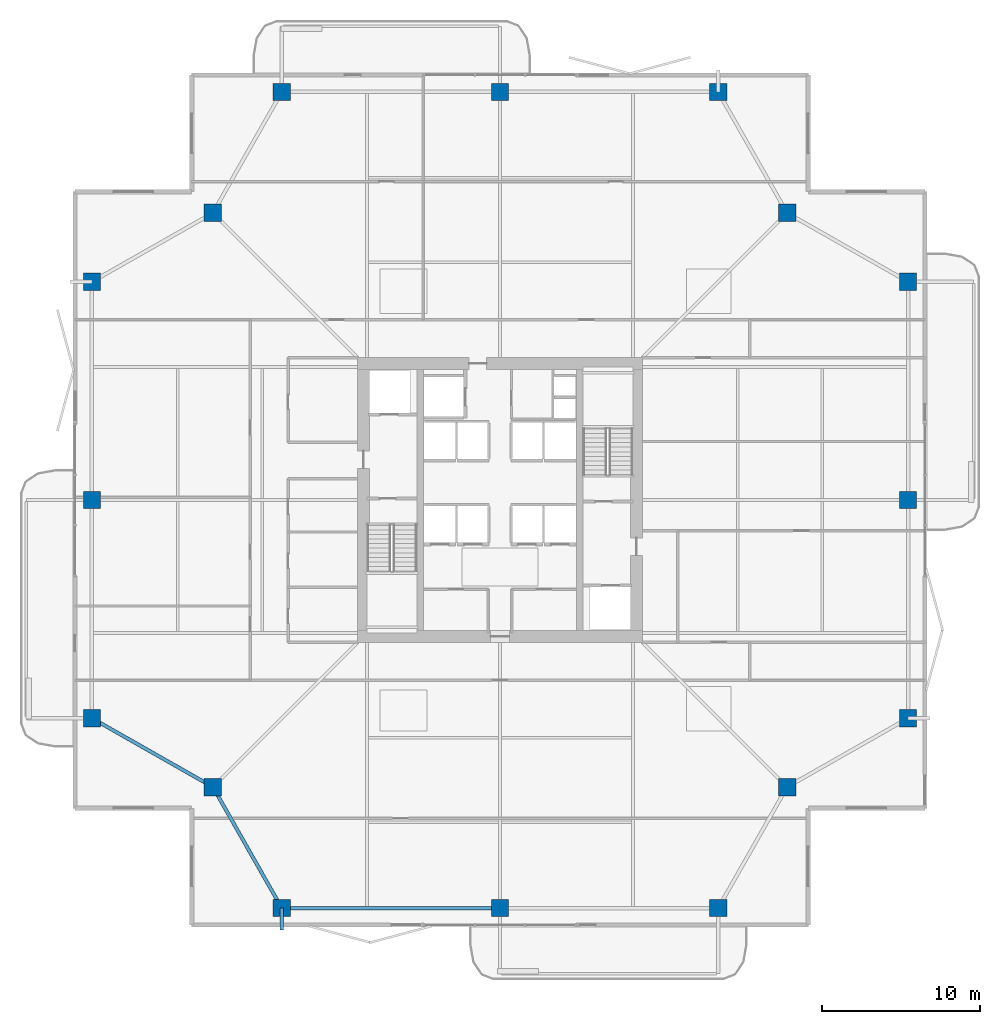
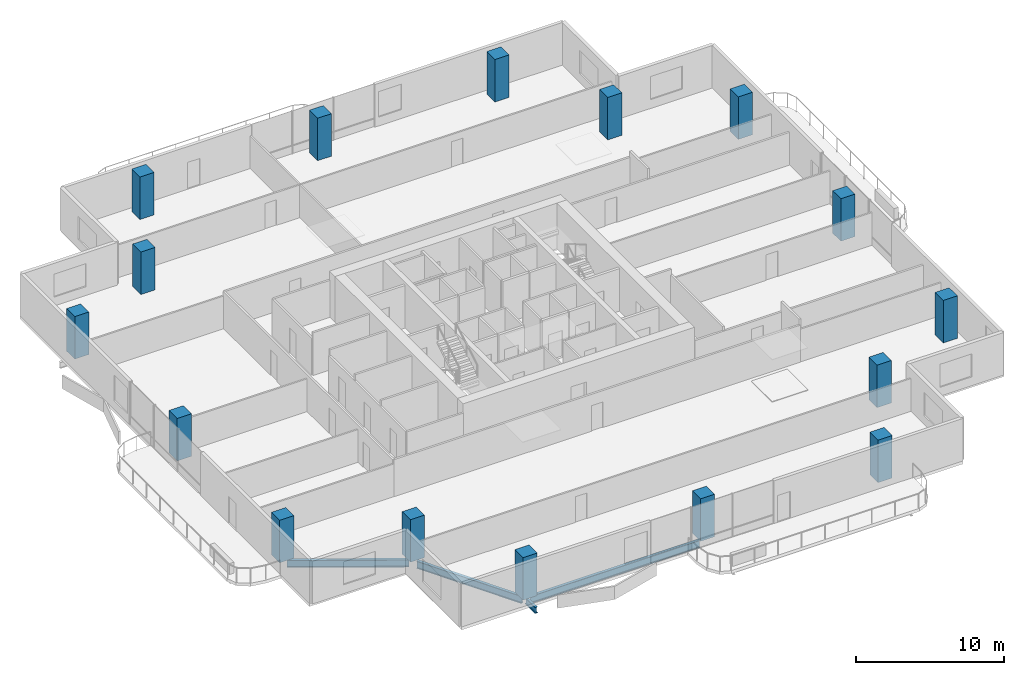
# One storey, part 1 of 24: 16 columns, 4 beams.
"""IFC4 building model written with IfcOpenShell, lengths in metres."""

from ifc_helpers import new_model, si_unit, direction, frame, origin, origin_2d, place, context, subcontext, project, spatial, rectangle, i_section, extrude, material, material_profile, profile_set, type_object, element, save


model = new_model("IFC4")

# Units and contexts
model_context = context("Model", 3, precision=1e-05, world=origin(), true_north=direction((0.0, 1.0)))
body_context = subcontext(model_context, "Body", "Model", "MODEL_VIEW")
ifc_project = project(units=[si_unit("LENGTHUNIT", "METRE"), si_unit("AREAUNIT", "SQUARE_METRE"), si_unit("VOLUMEUNIT", "CUBIC_METRE"), si_unit("PLANEANGLEUNIT", "RADIAN"), si_unit("MASSUNIT", "GRAM", prefix="KILO")], contexts=[model_context])

# Site, building, storey
site_placement = place(None, origin())
site = spatial("IfcSite", under=ifc_project, at=site_placement, CompositionType="ELEMENT")
building_placement = place(site_placement, origin())
building = spatial("IfcBuilding", under=site, at=building_placement, Name="Belovzor Exchange Tower", CompositionType="ELEMENT")
storey_placement = place(building_placement, frame((0.0, 0.0, 237.449951171875)))
storey = spatial("IfcBuildingStorey", under=building, at=storey_placement, Name="L59", CompositionType="ELEMENT", Elevation=237.449951171875)

# Columns
ifc_material_1 = material(Name="Concrete C50/60", Category="concrete")
ifc_material_profile_1 = material_profile(ifc_material_1, rectangle(XDim=1.10009765625, YDim=1.10009765625, at=origin_2d()))
ifc_profile_set_1 = profile_set([ifc_material_profile_1], Name="Concrete C50/60")
column_type = type_object("IfcColumnType", Name="Reinforced Concrete Tower Column 1100x1100", PredefinedType="COLUMN", material=ifc_profile_set_1)
for number, where, z_axis, x_axis, name in (
    (1, (15.0, 3.0, 0.0029296875), (0.0, 0.0, 1.0), (1.0, 0.0, 0.0), "COL-T110 Reinforced Concrete Tower Column 1100x1100"),
    (2, (28.800048828125, 3.0, 0.0029296875), (0.0, 0.0, 1.0), (1.0, 0.0, 0.0), "COL-T110 Reinforced Concrete Tower Column 1100x1100"),
    (3, (42.60009765625, 3.0, 0.0029296875), (0.0, 0.0, 1.0), (1.0, 0.0, 0.0), "COL-T110 Reinforced Concrete Tower Column 1100x1100"),
    (4, (54.60009765625, 15.0, 0.0029296875), (0.0, 0.0, 1.0), (1.0, 0.0, 0.0), "COL-T110 Reinforced Concrete Tower Column 1100x1100"),
    (5, (54.60009765625, 28.800048828125, 0.0029296875), (0.0, 0.0, 1.0), (1.0, 0.0, 0.0), "COL-T110 Reinforced Concrete Tower Column 1100x1100"),
    (6, (54.60009765625, 42.60009765625, 0.0029296875), (0.0, 0.0, 1.0), (1.0, 0.0, 0.0), "COL-T110 Reinforced Concrete Tower Column 1100x1100"),
    (7, (42.60009765625, 54.60009765625, 0.0029296875), (0.0, 0.0, 1.0), (1.0, 0.0, 0.0), "COL-T110 Reinforced Concrete Tower Column 1100x1100"),
    (8, (28.800048828125, 54.60009765625, 0.0029296875), (0.0, 0.0, 1.0), (1.0, 0.0, 0.0), "COL-T110 Reinforced Concrete Tower Column 1100x1100"),
    (9, (15.0, 54.60009765625, 0.0029296875), (0.0, 0.0, 1.0), (1.0, 0.0, 0.0), "COL-T110 Reinforced Concrete Tower Column 1100x1100"),
    (10, (3.0, 42.60009765625, 0.0029296875), (0.0, 0.0, 1.0), (1.0, 0.0, 0.0), "COL-T110 Reinforced Concrete Tower Column 1100x1100"),
    (11, (3.0, 28.800048828125, 0.0029296875), (0.0, 0.0, 1.0), (1.0, 0.0, 0.0), "COL-T110 Reinforced Concrete Tower Column 1100x1100"),
    (12, (3.0, 15.0, 0.0029296875), (0.0, 0.0, 1.0), (1.0, 0.0, 0.0), "COL-T110 Reinforced Concrete Tower Column 1100x1100"),
    (13, (10.64990234375, 10.64990234375, 0.0029296875), (0.0, 0.0, 1.0), (1.0, 0.0, 0.0), "COL-T110 Reinforced Concrete Tower Column 1100x1100"),
    (14, (46.949951171875, 10.64990234375, 0.0029296875), (0.0, 0.0, 1.0), (1.0, 0.0, 0.0), "COL-T110 Reinforced Concrete Tower Column 1100x1100"),
    (15, (46.949951171875, 46.949951171875, 0.0029296875), (0.0, 0.0, 1.0), (1.0, 0.0, 0.0), "COL-T110 Reinforced Concrete Tower Column 1100x1100"),
    (16, (10.64990234375, 46.949951171875, 0.0029296875), (0.0, 0.0, 1.0), (1.0, 0.0, 0.0), "COL-T110 Reinforced Concrete Tower Column 1100x1100"),
):
    element("IfcColumn", number, at=place(storey_placement, frame(where, z_axis=z_axis, x_axis=x_axis)), inside=storey, type_object=column_type, Name=name, PredefinedType="COLUMN", context=body_context, shape_type="SweptSolid", body=[
        extrude(rectangle(XDim=1.10009765625, YDim=1.10009765625, at=origin_2d()), origin(), (0.0, 0.0, 1.0), 3.494140625),
    ])

# Beams
ifc_material_2 = material(Name="Steel S355", Category="steel")
ifc_material_profile_2 = material_profile(ifc_material_2, i_section(OverallWidth=0.199951171875, OverallDepth=0.5, WebThickness=0.01025390625, FlangeThickness=0.01611328125, at=origin_2d()))
ifc_profile_set_2 = profile_set([ifc_material_profile_2], Name="Steel S355")
beam_type_1 = type_object("IfcBeamType", Name="Planted Balcony Cantilever Beam IPE 500", PredefinedType="BEAM", material=ifc_profile_set_2)
beam_1_placement = place(storey_placement, frame((15.0, 3.0, -0.5), z_axis=(0.0, -1.0, 0.0), x_axis=(1.0, 0.0, 0.0)))
element("IfcBeam", 17, at=beam_1_placement, inside=storey, type_object=beam_type_1, Name="BC-500 Planted Balcony Cantilever Beam IPE 500", PredefinedType="BEAM", context=body_context, shape_type="SweptSolid", body=[
    extrude(i_section(OverallWidth=0.199951171875, OverallDepth=0.5, WebThickness=0.01025390625, FlangeThickness=0.01611328125, at=origin_2d()), origin(), (0.0, 0.0, 1.0), 1.39990234375),
])
ifc_material_3 = material(Name="Steel S355", Category="steel")
ifc_material_profile_3 = material_profile(ifc_material_3, i_section(OverallWidth=0.219970703125, OverallDepth=0.60009765625, WebThickness=0.011962890625, FlangeThickness=0.01904296875, at=origin_2d()))
ifc_profile_set_3 = profile_set([ifc_material_profile_3], Name="Steel S355")
beam_type_2 = type_object("IfcBeamType", Name="Zone 4 Flare Primary Girder IPE 600", PredefinedType="BEAM", material=ifc_profile_set_3)
beam_2_placement = place(storey_placement, frame((10.800048828125, 10.386962890625, -0.550048828125), z_axis=(0.494222323641, -0.869335547884, 0.0), x_axis=(0.869335547884, 0.494222323641, 0.0)))
element("IfcBeam", 18, at=beam_2_placement, inside=storey, type_object=beam_type_2, Name="FG-Z4 Zone 4 Flare Primary Girder IPE 600", PredefinedType="BEAM", context=body_context, shape_type="SweptSolid", body=[
    extrude(i_section(OverallWidth=0.219970703125, OverallDepth=0.60009765625, WebThickness=0.011962890625, FlangeThickness=0.01904296875, at=origin_2d()), origin(), (0.0, 0.0, 1.0), 8.19482421875),
])
beam_3_placement = place(storey_placement, frame((15.302978515625, 3.0, -0.550048828125), z_axis=(1.0, 0.0, 0.0), x_axis=(0.0, 1.0, 0.0)))
element("IfcBeam", 19, at=beam_3_placement, inside=storey, type_object=beam_type_2, Name="FG-Z4 Zone 4 Flare Primary Girder IPE 600", PredefinedType="BEAM", context=body_context, shape_type="SweptSolid", body=[
    extrude(i_section(OverallWidth=0.219970703125, OverallDepth=0.60009765625, WebThickness=0.011962890625, FlangeThickness=0.01904296875, at=origin_2d()), origin(), (0.0, 0.0, 1.0), 13.195068359375),
])
beam_4_placement = place(storey_placement, frame((3.262939453125, 14.85009765625, -0.550048828125), z_axis=(0.869335547884, -0.494222323641, 0.0), x_axis=(0.494222323641, 0.869335547884, 0.0)))
element("IfcBeam", 20, at=beam_4_placement, inside=storey, type_object=beam_type_2, Name="FG-Z4 Zone 4 Flare Primary Girder IPE 600", PredefinedType="BEAM", context=body_context, shape_type="SweptSolid", body=[
    extrude(i_section(OverallWidth=0.219970703125, OverallDepth=0.60009765625, WebThickness=0.011962890625, FlangeThickness=0.01904296875, at=origin_2d()), origin(), (0.0, 0.0, 1.0), 8.19482421875),
])

save(model, "model.ifc")
